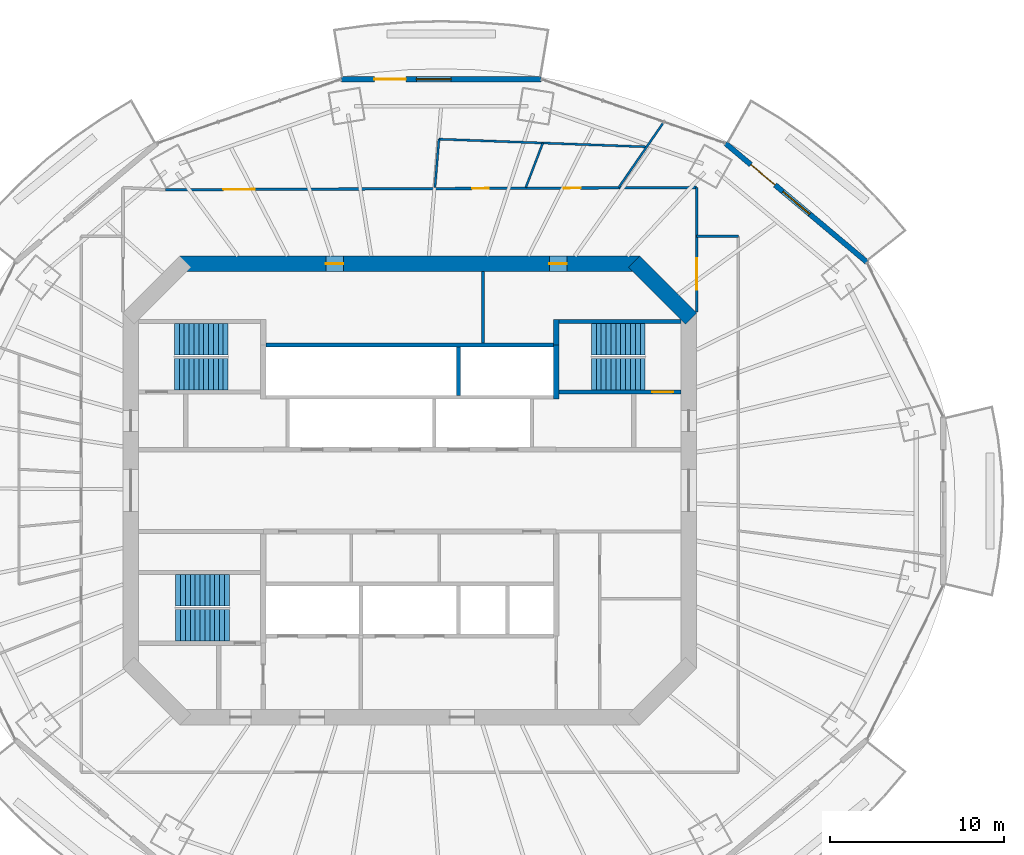
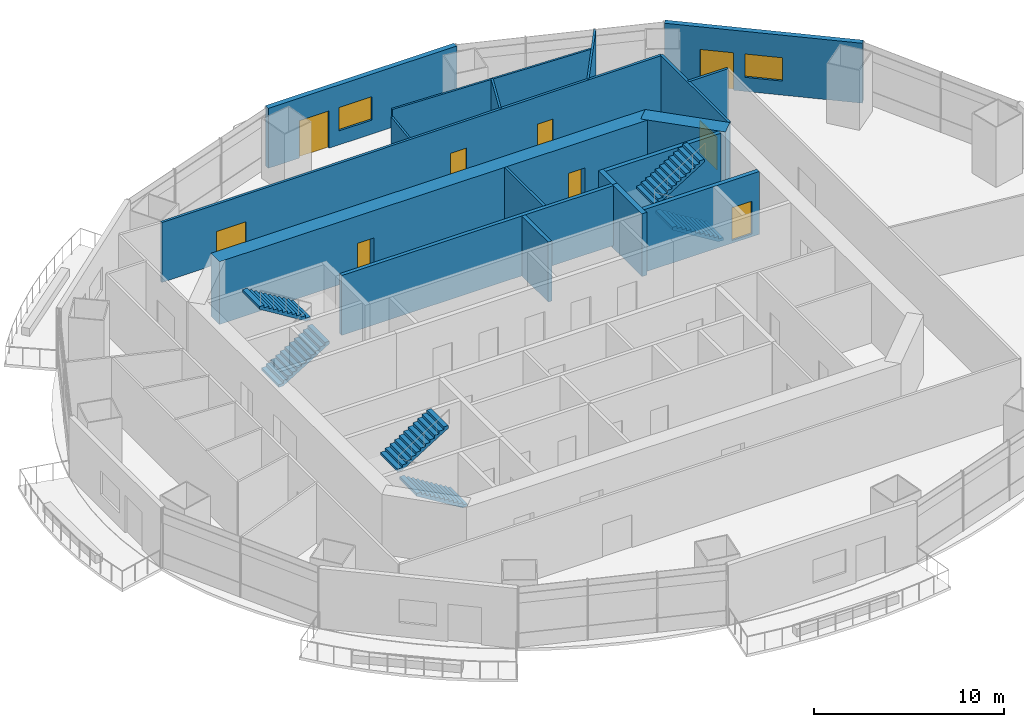
# One storey, part 13 of 16: 18 walls, 9 doors, 6 stair flights, 2 windows, 11 openings, 3 elements without a shape of their own.
"""IFC4 building model written with IfcOpenShell, lengths in metres."""

import ifcopenshell
import ifcopenshell.guid

model = None  # the IFC model being written
_history = None  # IfcOwnerHistory: only IFC2X3 demands one
_inside = {}  # id of a spatial element -> (the spatial element, [elements in it])
_under = {}  # id of a project, library or spatial element -> (it, [spatial elements below it])
_declared = {}  # id of a project -> (the project, [libraries it declares])
_typed = {}  # id of a type object -> (the type object, [elements of that type])
_made_of = {}  # id of a material, layer set ... -> (it, [elements and type objects made of it])


def new_model(schema):
    """Start an empty IFC model of exactly this schema.

    Asked for "IFC4X3", IfcOpenShell would pick the latest addendum, in which some entities
    have other attributes; the version numbers below select the first issue.
    IFC2X3 requires an IfcOwnerHistory on every rooted entity: one is made here for all.
    """
    global model, _history
    if schema == "IFC4X3":
        model = ifcopenshell.file(schema_version=(4, 3, 0, 0))
    else:
        model = ifcopenshell.file(schema=schema)
    _inside.clear()
    _under.clear()
    _declared.clear()
    _typed.clear()
    _made_of.clear()
    _history = None
    if model.schema == "IFC2X3":
        org = make("IfcOrganization", Name="unknown")
        user = make(
            "IfcPersonAndOrganization",
            ThePerson=make("IfcPerson", FamilyName="unknown"),
            TheOrganization=org,
        )
        app = make(
            "IfcApplication",
            ApplicationDeveloper=org,
            Version="unknown",
            ApplicationFullName="unknown",
            ApplicationIdentifier="unknown",
        )
        _history = make(
            "IfcOwnerHistory",
            OwningUser=user,
            OwningApplication=app,
            ChangeAction="ADDED",
            CreationDate=0,
        )
    return model


def make(cls, **values):
    """One entity of the class cls with the attributes given. An attribute that is None is left unset."""
    return model.create_entity(
        cls, **{name: value for name, value in values.items() if value is not None}
    )


def rooted(cls, **values):
    """An entity with a GlobalId (a new one), such as an element, a storey or a relation."""
    return make(cls, GlobalId=ifcopenshell.guid.new(), OwnerHistory=_history, **values)


def si_unit(unit_type, name, prefix=None):
    """IfcSIUnit, for example si_unit("LENGTHUNIT", "METRE", prefix="MILLI")."""
    return make("IfcSIUnit", UnitType=unit_type, Prefix=prefix, Name=name)


def assignment(units):
    """IfcUnitAssignment: the units of a project."""
    return None if units is None else make("IfcUnitAssignment", Units=units)


def point(xyz):
    """IfcCartesianPoint."""
    return None if xyz is None else make("IfcCartesianPoint", Coordinates=xyz)


def direction(xyz):
    """IfcDirection."""
    return None if xyz is None else make("IfcDirection", DirectionRatios=xyz)


def frame(location, z_axis=None, x_axis=None):
    """IfcAxis2Placement3D, a coordinate frame: its origin and axes. An axis left out is left unset."""
    return make(
        "IfcAxis2Placement3D",
        Location=point(location),
        Axis=direction(z_axis),
        RefDirection=direction(x_axis),
    )


def frame_2d(location, x_axis=None):
    """IfcAxis2Placement2D, a coordinate frame in the plane: its origin and x axis."""
    return make(
        "IfcAxis2Placement2D", Location=point(location), RefDirection=direction(x_axis)
    )


def origin():
    """The frame at (0, 0, 0) with its axes left unset."""
    return frame((0.0, 0.0, 0.0))


def place(relative_to, where):
    """IfcLocalPlacement: puts the frame where relative to a parent placement (None: the world)."""
    return make(
        "IfcLocalPlacement", PlacementRelTo=relative_to, RelativePlacement=where
    )


def context(
    kind, dimensions, precision=None, world=None, true_north=None, identifier=None
):
    """IfcGeometricRepresentationContext, for example the 3D "Model" context."""
    return make(
        "IfcGeometricRepresentationContext",
        ContextIdentifier=identifier,
        ContextType=kind,
        CoordinateSpaceDimension=dimensions,
        Precision=precision,
        WorldCoordinateSystem=world,
        TrueNorth=true_north,
    )


def subcontext(parent, identifier, kind, view, scale=None):
    """IfcGeometricRepresentationSubContext, for example "Body" below "Model"."""
    return make(
        "IfcGeometricRepresentationSubContext",
        ContextIdentifier=identifier,
        ContextType=kind,
        ParentContext=parent,
        TargetScale=scale,
        TargetView=view,
    )


def project(units=None, contexts=None):
    """IfcProject with its units and contexts."""
    return rooted(
        "IfcProject",
        Name="project",
        RepresentationContexts=contexts,
        UnitsInContext=assignment(units),
    )


def spatial(cls, under=None, at=None, **own):
    """A site, building, storey or space (cls), placed at a placement, below another one or the project."""
    s = rooted(cls, ObjectPlacement=at, **own)
    if under is not None:
        _under.setdefault(under.id(), (under, []))[1].append(s)
    return s


def polyline(points):
    """IfcPolyline through the points."""
    return make("IfcPolyline", Points=[point(p) for p in points])


def profile(cls, at=None, kind="AREA", **sizes):
    """A parametric profile (cls). Its sizes go by their IFC names, for example OverallWidth=200.0."""
    return make(cls, ProfileType=kind, Position=at, **sizes)


def rectangle(**sizes):
    """IfcRectangleProfileDef."""
    return profile("IfcRectangleProfileDef", **sizes)


def outline(outer, holes=None, kind="AREA"):
    """IfcArbitraryClosedProfileDef: a profile drawn as a closed curve; with holes, ...WithVoids."""
    if holes is None:
        return make("IfcArbitraryClosedProfileDef", ProfileType=kind, OuterCurve=outer)
    return make(
        "IfcArbitraryProfileDefWithVoids",
        ProfileType=kind,
        OuterCurve=outer,
        InnerCurves=holes,
    )


def extrude(swept, where, along, depth):
    """IfcExtrudedAreaSolid: the profile swept, set in the frame where, extruded along a direction by depth."""
    return make(
        "IfcExtrudedAreaSolid",
        SweptArea=swept,
        Position=where,
        ExtrudedDirection=direction(along),
        Depth=depth,
    )


def shape(context_of_items, identifier, shape_type, items):
    """IfcShapeRepresentation: the items that make up one representation, for example the "Body"."""
    return make(
        "IfcShapeRepresentation",
        ContextOfItems=context_of_items,
        RepresentationIdentifier=identifier,
        RepresentationType=shape_type,
        Items=items,
    )


def material(Name=None, Category=None):
    """IfcMaterial."""
    return make("IfcMaterial", Name=Name, Category=Category)


def layer(
    of_material, thickness, ventilated=None, Name=None, Category=None, Priority=None
):
    """IfcMaterialLayer: one layer of a wall or slab, of a material (None: an air gap)."""
    return make(
        "IfcMaterialLayer",
        Material=of_material,
        LayerThickness=thickness,
        IsVentilated=ventilated,
        Name=Name,
        Category=Category,
        Priority=Priority,
    )


def layer_set(layers, Name=None):
    """IfcMaterialLayerSet."""
    return make("IfcMaterialLayerSet", MaterialLayers=layers, LayerSetName=Name)


def made_of(thing, what):
    """Note that an element or type object is made of a material, layer set ...; save() writes the relation."""
    if what is not None:
        _made_of.setdefault(what.id(), (what, []))[1].append(thing)
    return thing


def type_object(cls, material=None, **own):
    """A type object (cls), such as IfcWallType, which elements share."""
    return made_of(rooted(cls, **own), material)


def element(
    cls,
    number,
    at=None,
    inside=None,
    cuts=None,
    type_object=None,
    material=None,
    context=None,
    identifier="Body",
    shape_type=None,
    held_by="IfcProductDefinitionShape",
    body=None,
    shapes=None,
    **own,
):
    """One element of the class cls, such as IfcWall. Its Tag is "e" and its number.

    at: its placement. inside: the storey or other place that contains it. cuts: it is an
    opening in that element (IfcRelVoidsElement). A single representation is given by context,
    identifier, shape_type and body (its items); several are given by shapes. held_by: the class
    of the entity that holds the representations. save() writes the other relations.
    """
    e = rooted(cls, Tag="e%d" % number, ObjectPlacement=at, **own)
    if body is not None:
        shapes = [shape(context, identifier, shape_type, body)]
    if shapes is not None:
        e.Representation = make(held_by, Representations=shapes)
    if inside is not None:
        _inside.setdefault(inside.id(), (inside, []))[1].append(e)
    if cuts is not None:
        rooted(
            "IfcRelVoidsElement", RelatingBuildingElement=cuts, RelatedOpeningElement=e
        )
    if type_object is not None:
        _typed.setdefault(type_object.id(), (type_object, []))[1].append(e)
    return made_of(e, material)


def fill(opening, filler):
    """IfcRelFillsElement: the door or window that sits in an opening."""
    return rooted(
        "IfcRelFillsElement",
        RelatingOpeningElement=opening,
        RelatedBuildingElement=filler,
    )


def aggregate(whole, parts):
    """IfcRelAggregates: a whole, such as a stair, and the parts it consists of."""
    return rooted("IfcRelAggregates", RelatingObject=whole, RelatedObjects=parts)


def save(model, path):
    """Write the relations noted so far, then the file.

    IfcRelAggregates (storeys below a building ...), IfcRelContainedInSpatialStructure (elements
    in a storey), IfcRelDefinesByType, IfcRelAssociatesMaterial and IfcRelDeclares: one each for
    every whole, place, type object, material and project.
    """
    for whole, parts in _under.values():
        aggregate(whole, parts)
    for where, things in _inside.values():
        rooted(
            "IfcRelContainedInSpatialStructure",
            RelatedElements=things,
            RelatingStructure=where,
        )
    for kind, things in _typed.values():
        rooted("IfcRelDefinesByType", RelatedObjects=things, RelatingType=kind)
    for what, things in _made_of.values():
        rooted("IfcRelAssociatesMaterial", RelatedObjects=things, RelatingMaterial=what)
    for by, libraries in _declared.values():
        rooted("IfcRelDeclares", RelatingContext=by, RelatedDefinitions=libraries)
    model.write(path)


model = new_model("IFC4")

# Units and contexts
model_context = context("Model", 3, precision=1e-05, world=origin(), true_north=direction((0.0, 1.0)))
body_context = subcontext(model_context, "Body", "Model", "MODEL_VIEW")
ifc_project = project(units=[si_unit("LENGTHUNIT", "METRE"), si_unit("AREAUNIT", "SQUARE_METRE"), si_unit("VOLUMEUNIT", "CUBIC_METRE"), si_unit("PLANEANGLEUNIT", "RADIAN"), si_unit("MASSUNIT", "GRAM", prefix="KILO")], contexts=[model_context])

# Site, building, storey
site_placement = place(None, origin())
site = spatial("IfcSite", under=ifc_project, at=site_placement, CompositionType="ELEMENT")
building_placement = place(site_placement, origin())
building = spatial("IfcBuilding", under=site, at=building_placement, Name="Marenthal Gate Tower", CompositionType="ELEMENT")
storey_placement = place(building_placement, frame((0.0, 0.0, 268.949951171875)))
storey = spatial("IfcBuildingStorey", under=building, at=storey_placement, Name="L60", CompositionType="ELEMENT", Elevation=268.949951171875)

# Wall
ifc_material_1 = material(Name="Concrete 60 MPa", Category="concrete")
ifc_layer_1 = layer(ifc_material_1, 0.89990234375)
ifc_layer_set_1 = layer_set([ifc_layer_1], Name="Core shear wall 900")
wall_type_1 = type_object("IfcWallType", Name="Core shear wall 900", PredefinedType="SHEAR", material=ifc_layer_set_1)
wall_1_placement = place(storey_placement, frame((16.1318359375, 9.8681640625, -0.179931640625), z_axis=(0.0, 0.0, 1.0), x_axis=(-0.707106781187, 0.707106781187, 0.0)))
element("IfcWall", 1, at=wall_1_placement, inside=storey, type_object=wall_type_1, Name="Core wall 03", PredefinedType="SHEAR", context=body_context, shape_type="SweptSolid", body=[
    extrude(rectangle(XDim=4.615478515625, YDim=0.89990234375, at=frame_2d((2.3076171875, 0.0))), origin(), (0.0, 0.0, 1.0), 4.030029296875),
])

# Wall, openings, doors
wall_2_placement = place(storey_placement, frame((13.186279296875, 13.0, -0.179931640625), z_axis=(0.0, 0.0, 1.0), x_axis=(-1.0, 0.0, 0.0)))
wall_2 = element("IfcWall", 2, at=wall_2_placement, inside=storey, type_object=wall_type_1, Name="Core wall 04", PredefinedType="SHEAR", context=body_context, shape_type="SweptSolid", body=[
    extrude(rectangle(XDim=26.37255859375, YDim=0.89990234375, at=frame_2d((13.186279296875, 0.0))), origin(), (0.0, 0.0, 1.0), 4.030029296875),
])
opening_1_placement = place(wall_2_placement, frame((16.993408203125, 0.0, 0.179931640625)))
opening_1 = element("IfcOpeningElement", 3, at=opening_1_placement, cuts=wall_2, Name="Opening D005.04", PredefinedType="OPENING", context=body_context, shape_type="SweptSolid", body=[
    extrude(rectangle(XDim=1.0, YDim=2.10009765625, at=frame_2d((0.5, 1.050048828125))), frame((0.0, 0.4599609375, 0.0), z_axis=(0.0, -1.0, 0.0), x_axis=(1.0, 0.0, 0.0)), (0.0, 0.0, 1.0), 0.919921875),
])
opening_2_placement = place(wall_2_placement, frame((4.179443359375, 0.0, 0.179931640625)))
opening_2 = element("IfcOpeningElement", 4, at=opening_2_placement, cuts=wall_2, Name="Opening D005.05", PredefinedType="OPENING", context=body_context, shape_type="SweptSolid", body=[
    extrude(rectangle(XDim=1.0, YDim=2.10009765625, at=frame_2d((0.5, 1.050048828125))), frame((0.0, 0.4599609375, 0.0), z_axis=(0.0, -1.0, 0.0), x_axis=(1.0, 0.0, 0.0)), (0.0, 0.0, 1.0), 0.919921875),
])
ifc_material_2 = material(Name="Steel fire door", Category="steel")
door_type_1 = type_object("IfcDoorType", Name="Fire door FD 45 1000 x 2100", OperationType="NOTDEFINED", PredefinedType="DOOR", material=ifc_material_2)
door_1_placement = place(opening_1_placement, origin())
door_1 = element("IfcDoor", 5, at=door_1_placement, inside=storey, type_object=door_type_1, Name="Door D005.04", OperationType="SINGLE_SWING_RIGHT", OverallHeight=2.10009765625, OverallWidth=1.0, PredefinedType="DOOR", context=body_context, shape_type="SweptSolid", body=[
    extrude(rectangle(XDim=1.0, YDim=2.10009765625, at=frame_2d((0.5, 1.050048828125))), frame((0.0, 0.02490234375, 0.0), z_axis=(0.0, -1.0, 0.0), x_axis=(1.0, 0.0, 0.0)), (0.0, 0.0, 1.0), 0.050048828125),
])
fill(opening_1, door_1)
door_2_placement = place(opening_2_placement, origin())
door_2 = element("IfcDoor", 6, at=door_2_placement, inside=storey, type_object=door_type_1, Name="Door D005.05", OperationType="SINGLE_SWING_RIGHT", OverallHeight=2.10009765625, OverallWidth=1.0, PredefinedType="DOOR", context=body_context, shape_type="SweptSolid", body=[
    extrude(rectangle(XDim=1.0, YDim=2.10009765625, at=frame_2d((0.5, 1.050048828125))), frame((0.0, 0.02490234375, 0.0), z_axis=(0.0, -1.0, 0.0), x_axis=(1.0, 0.0, 0.0)), (0.0, 0.0, 1.0), 0.050048828125),
])
fill(opening_2, door_2)

# Walls
ifc_material_3 = material(Name="Concrete 50 MPa", Category="concrete")
ifc_layer_2 = layer(ifc_material_3, 0.300048828125)
ifc_layer_set_2 = layer_set([ifc_layer_2], Name="Hoistway shear wall 300")
wall_type_2 = type_object("IfcWallType", Name="Hoistway shear wall 300", PredefinedType="SHEAR", material=ifc_layer_set_2)
wall_3_placement = place(storey_placement, frame((8.39990234375, 5.239990234375, -0.179931640625), z_axis=(0.0, 0.0, 1.0), x_axis=(0.0, 1.0, 0.0)))
element("IfcWall", 7, at=wall_3_placement, inside=storey, type_object=wall_type_2, Name="Hoistway wall 46", PredefinedType="SHEAR", context=body_context, shape_type="SweptSolid", body=[
    extrude(rectangle(XDim=3.110107421875, YDim=0.300048828125, at=frame_2d((1.55517578125, 0.0))), origin(), (0.0, 0.0, 1.0), 4.030029296875),
])
ifc_material_4 = material(Name="Concrete 40 MPa", Category="concrete")
ifc_layer_3 = layer(ifc_material_4, 0.219970703125)
ifc_layer_set_3 = layer_set([ifc_layer_3], Name="Hoistway wall 220")
wall_type_3 = type_object("IfcWallType", Name="Hoistway wall 220", PredefinedType="STANDARD", material=ifc_layer_set_3)
wall_4_placement = place(storey_placement, frame((-8.25, 8.35009765625, 0.0), z_axis=(0.0, 0.0, 1.0), x_axis=(1.0, 0.0, 0.0)))
element("IfcWall", 8, at=wall_4_placement, inside=storey, type_object=wall_type_3, Name="Hoistway wall 24", PredefinedType="STANDARD", context=body_context, shape_type="SweptSolid", body=[
    extrude(rectangle(XDim=16.5, YDim=0.219970703125, at=frame_2d((8.25, 0.0))), origin(), (0.0, 0.0, 1.0), 3.85009765625),
])
wall_5_placement = place(storey_placement, frame((2.800048828125, 5.4599609375, 0.0), z_axis=(0.0, 0.0, 1.0), x_axis=(0.0, 1.0, 0.0)))
element("IfcWall", 9, at=wall_5_placement, inside=storey, type_object=wall_type_3, Name="Hoistway wall 40", PredefinedType="STANDARD", context=body_context, shape_type="SweptSolid", body=[
    extrude(rectangle(XDim=2.780029296875, YDim=0.219970703125, at=frame_2d((1.39013671875, 0.0))), origin(), (0.0, 0.0, 1.0), 3.85009765625),
])
ifc_material_5 = material(Name="Gypsum board on steel studs", Category="steel")
ifc_layer_4 = layer(ifc_material_5, 0.1201171875)
ifc_layer_set_4 = layer_set([ifc_layer_4], Name="Partition 120")
wall_type_4 = type_object("IfcWallType", Name="Partition 120", PredefinedType="PARTITIONING", material=ifc_layer_set_4)
wall_6_placement = place(storey_placement, frame((1.67431640625, 20.154052734375, 0.0), z_axis=(0.0, 0.0, 1.0), x_axis=(-0.082798678208, -0.996566294276, 0.0)))
element("IfcWall", 10, at=wall_6_placement, inside=storey, type_object=wall_type_4, Name="Partition wall 62", PredefinedType="PARTITIONING", context=body_context, shape_type="SweptSolid", body=[
    extrude(rectangle(XDim=2.783447265625, YDim=0.1201171875, at=frame_2d((1.3916015625, 0.0))), origin(), (0.0, 0.0, 1.0), 3.383056640625),
])
wall_7_placement = place(storey_placement, frame((7.631591796875, 19.93310546875, 0.0), z_axis=(0.0, 0.0, 1.0), x_axis=(-0.357506405086, -0.933910686481, 0.0)))
element("IfcWall", 11, at=wall_7_placement, inside=storey, type_object=wall_type_4, Name="Partition wall 63", PredefinedType="PARTITIONING", context=body_context, shape_type="SweptSolid", body=[
    extrude(rectangle(XDim=2.733642578125, YDim=0.1201171875, at=frame_2d((1.36669921875, 0.0))), origin(), (0.0, 0.0, 1.0), 3.85009765625),
])
wall_8_placement = place(storey_placement, frame((11.9814453125, 17.380126953125, 0.0), z_axis=(0.0, 0.0, 1.0), x_axis=(0.567580608416, 0.82331783228, 0.0)))
element("IfcWall", 12, at=wall_8_placement, inside=storey, type_object=wall_type_4, Name="Partition wall 64", PredefinedType="PARTITIONING", context=body_context, shape_type="SweptSolid", body=[
    extrude(rectangle(XDim=4.569091796875, YDim=0.1201171875, at=frame_2d((2.28466796875, 0.0))), origin(), (0.0, 0.0, 1.0), 3.85009765625),
])
wall_9_placement = place(storey_placement, frame((13.589111328125, 19.71240234375, 0.0), z_axis=(0.0, 0.0, 1.0), x_axis=(-0.999313711309, 0.037041954465, 0.0)))
element("IfcWall", 13, at=wall_9_placement, inside=storey, type_object=wall_type_4, Name="Partition wall 65", PredefinedType="PARTITIONING", context=body_context, shape_type="SweptSolid", body=[
    extrude(rectangle(XDim=11.923095703125, YDim=0.1201171875, at=frame_2d((5.96142578125, 0.0))), origin(), (0.0, 0.0, 1.0), 3.85009765625),
])
ifc_material_6 = material(Name="Gypsum board on steel studs", Category="steel")
ifc_layer_5 = layer(ifc_material_6, 0.14990234375)
ifc_layer_set_5 = layer_set([ifc_layer_5], Name="Partition 150")
wall_type_5 = type_object("IfcWallType", Name="Partition 150", PredefinedType="PARTITIONING", material=ifc_layer_set_5)
wall_10_placement = place(storey_placement, frame((4.199951171875, 8.4599609375, 0.0), z_axis=(0.0, 0.0, 1.0), x_axis=(0.0, 1.0, 0.0)))
element("IfcWall", 14, at=wall_10_placement, inside=storey, type_object=wall_type_5, Name="Partition wall 41", PredefinedType="PARTITIONING", context=body_context, shape_type="SweptSolid", body=[
    extrude(rectangle(XDim=4.090087890625, YDim=0.14990234375, at=frame_2d((2.044921875, 0.0))), origin(), (0.0, 0.0, 1.0), 3.85009765625),
])

# Wall, openings, doors
wall_11_placement = place(storey_placement, frame((-14.001220703125, 17.24951171875, 0.0), z_axis=(0.0, 0.0, 1.0), x_axis=(0.999990800936, 0.004289294132, 0.0)))
wall_11 = element("IfcWall", 15, at=wall_11_placement, inside=storey, type_object=wall_type_5, Name="Partition wall 61", PredefinedType="PARTITIONING", context=body_context, shape_type="SweptSolid", body=[
    extrude(rectangle(XDim=30.451416015625, YDim=0.14990234375, at=frame_2d((15.2255859375, 0.0))), origin(), (0.0, 0.0, 1.0), 3.85009765625),
])
opening_3_placement = place(wall_11_placement, frame((22.843994140625, 0.0, 0.0)))
opening_3 = element("IfcOpeningElement", 16, at=opening_3_placement, cuts=wall_11, Name="Opening D016.01", PredefinedType="OPENING", context=body_context, shape_type="SweptSolid", body=[
    extrude(rectangle(XDim=0.949951171875, YDim=2.10009765625, at=frame_2d((0.47509765625, 1.050048828125))), frame((0.0, 0.0849609375, 0.0), z_axis=(0.0, -1.0, 0.0), x_axis=(1.0, 0.0, 0.0)), (0.0, 0.0, 1.0), 0.169921875),
])
opening_4_placement = place(wall_11_placement, frame((17.575927734375, 0.0, 0.0)))
opening_4 = element("IfcOpeningElement", 17, at=opening_4_placement, cuts=wall_11, Name="Opening D016.02", PredefinedType="OPENING", context=body_context, shape_type="SweptSolid", body=[
    extrude(rectangle(XDim=0.949951171875, YDim=2.10009765625, at=frame_2d((0.47509765625, 1.050048828125))), frame((0.0, 0.0849609375, 0.0), z_axis=(0.0, -1.0, 0.0), x_axis=(1.0, 0.0, 0.0)), (0.0, 0.0, 1.0), 0.169921875),
])
opening_5_placement = place(wall_11_placement, frame((3.318115234375, 0.0, 0.0)))
opening_5 = element("IfcOpeningElement", 18, at=opening_5_placement, cuts=wall_11, Name="Opening D014.01", PredefinedType="OPENING", context=body_context, shape_type="SweptSolid", body=[
    extrude(rectangle(XDim=1.800048828125, YDim=2.10009765625, at=frame_2d((0.89990234375, 1.050048828125))), frame((0.0, 0.0849609375, 0.0), z_axis=(0.0, -1.0, 0.0), x_axis=(1.0, 0.0, 0.0)), (0.0, 0.0, 1.0), 0.169921875),
])
ifc_material_7 = material(Name="Timber door", Category="wood")
door_type_2 = type_object("IfcDoorType", Name="Door 950 x 2100", OperationType="NOTDEFINED", PredefinedType="DOOR", material=ifc_material_7)
door_3_placement = place(opening_3_placement, origin())
door_3 = element("IfcDoor", 19, at=door_3_placement, inside=storey, type_object=door_type_2, Name="Door D016.01", OperationType="SINGLE_SWING_RIGHT", OverallHeight=2.10009765625, OverallWidth=0.949951171875, PredefinedType="DOOR", context=body_context, shape_type="SweptSolid", body=[
    extrude(rectangle(XDim=0.949951171875, YDim=2.10009765625, at=frame_2d((0.47509765625, 1.050048828125))), frame((0.0, 0.02490234375, 0.0), z_axis=(0.0, -1.0, 0.0), x_axis=(1.0, 0.0, 0.0)), (0.0, 0.0, 1.0), 0.050048828125),
])
fill(opening_3, door_3)
door_4_placement = place(opening_4_placement, origin())
door_4 = element("IfcDoor", 20, at=door_4_placement, inside=storey, type_object=door_type_2, Name="Door D016.02", OperationType="SINGLE_SWING_RIGHT", OverallHeight=2.10009765625, OverallWidth=0.949951171875, PredefinedType="DOOR", context=body_context, shape_type="SweptSolid", body=[
    extrude(rectangle(XDim=0.949951171875, YDim=2.10009765625, at=frame_2d((0.47509765625, 1.050048828125))), frame((0.0, 0.02490234375, 0.0), z_axis=(0.0, -1.0, 0.0), x_axis=(1.0, 0.0, 0.0)), (0.0, 0.0, 1.0), 0.050048828125),
])
fill(opening_4, door_4)
ifc_material_8 = material(Name="Timber door", Category="wood")
door_type_3 = type_object("IfcDoorType", Name="Double door 1800 x 2100", OperationType="DOUBLE_DOOR_SINGLE_SWING", PredefinedType="DOOR", material=ifc_material_8)
door_5_placement = place(opening_5_placement, origin())
door_5 = element("IfcDoor", 21, at=door_5_placement, inside=storey, type_object=door_type_3, Name="Door D014.01", OperationType="DOUBLE_DOOR_SINGLE_SWING", OverallHeight=2.10009765625, OverallWidth=1.800048828125, PredefinedType="DOOR", context=body_context, shape_type="SweptSolid", body=[
    extrude(rectangle(XDim=1.800048828125, YDim=2.10009765625, at=frame_2d((0.89990234375, 1.050048828125))), frame((0.0, 0.02490234375, 0.0), z_axis=(0.0, -1.0, 0.0), x_axis=(1.0, 0.0, 0.0)), (0.0, 0.0, 1.0), 0.050048828125),
])
fill(opening_5, door_5)

# Wall, opening, door
wall_12_placement = place(storey_placement, frame((16.449951171875, 10.25, 0.0), z_axis=(0.0, 0.0, 1.0), x_axis=(0.0, 1.0, 0.0)))
wall_12 = element("IfcWall", 22, at=wall_12_placement, inside=storey, type_object=wall_type_5, Name="Partition wall 66", PredefinedType="PARTITIONING", context=body_context, shape_type="SweptSolid", body=[
    extrude(rectangle(XDim=7.130126953125, YDim=0.14990234375, at=frame_2d((3.56494140625, 0.0))), origin(), (0.0, 0.0, 1.0), 3.85009765625),
])
opening_6_placement = place(wall_12_placement, frame((1.264892578125, 0.0, 0.0)))
opening_6 = element("IfcOpeningElement", 23, at=opening_6_placement, cuts=wall_12, Name="Opening D014.05", PredefinedType="OPENING", context=body_context, shape_type="SweptSolid", body=[
    extrude(rectangle(XDim=1.800048828125, YDim=2.10009765625, at=frame_2d((0.89990234375, 1.050048828125))), frame((0.0, 0.0849609375, 0.0), z_axis=(0.0, -1.0, 0.0), x_axis=(1.0, 0.0, 0.0)), (0.0, 0.0, 1.0), 0.169921875),
])
door_6_placement = place(opening_6_placement, origin())
door_6 = element("IfcDoor", 24, at=door_6_placement, inside=storey, type_object=door_type_3, Name="Door D014.05", OperationType="DOUBLE_DOOR_SINGLE_SWING", OverallHeight=2.10009765625, OverallWidth=1.800048828125, PredefinedType="DOOR", context=body_context, shape_type="SweptSolid", body=[
    extrude(rectangle(XDim=1.800048828125, YDim=2.10009765625, at=frame_2d((0.89990234375, 1.050048828125))), frame((0.0, 0.02490234375, 0.0), z_axis=(0.0, -1.0, 0.0), x_axis=(1.0, 0.0, 0.0)), (0.0, 0.0, 1.0), 0.050048828125),
])
fill(opening_6, door_6)

# Wall
wall_13_placement = place(storey_placement, frame((16.449951171875, 14.580078125, 0.0), z_axis=(0.0, 0.0, 1.0), x_axis=(1.0, 0.0, 0.0)))
element("IfcWall", 25, at=wall_13_placement, inside=storey, type_object=wall_type_5, Name="Partition wall 67", PredefinedType="PARTITIONING", context=body_context, shape_type="SweptSolid", body=[
    extrude(rectangle(XDim=2.400146484375, YDim=0.14990234375, at=frame_2d((1.2001953125, 0.0))), origin(), (0.0, 0.0, 1.0), 3.85009765625),
])

# Wall, opening, door
ifc_material_9 = material(Name="Concrete 50 MPa", Category="concrete")
ifc_layer_6 = layer(ifc_material_9, 0.25)
ifc_layer_set_6 = layer_set([ifc_layer_6], Name="Stair shear wall 250")
wall_type_6 = type_object("IfcWallType", Name="Stair shear wall 250", PredefinedType="SHEAR", material=ifc_layer_set_6)
wall_14_placement = place(storey_placement, frame((8.550048828125, 5.64990234375, -0.179931640625), z_axis=(0.0, 0.0, 1.0), x_axis=(1.0, 0.0, 0.0)))
wall_14 = element("IfcWall", 26, at=wall_14_placement, inside=storey, type_object=wall_type_6, Name="Stair wall 23", PredefinedType="SHEAR", context=body_context, shape_type="SweptSolid", body=[
    extrude(rectangle(XDim=7.0, YDim=0.25, at=frame_2d((3.5, 0.0))), origin(), (0.0, 0.0, 1.0), 4.030029296875),
])
opening_7_placement = place(wall_14_placement, frame((5.35009765625, 0.0, 0.179931640625)))
opening_7 = element("IfcOpeningElement", 27, at=opening_7_placement, cuts=wall_14, Name="Opening D001.02", PredefinedType="OPENING", context=body_context, shape_type="SweptSolid", body=[
    extrude(rectangle(XDim=1.199951171875, YDim=2.10009765625, at=frame_2d((0.60009765625, 1.050048828125))), frame((0.0, 0.135009765625, 0.0), z_axis=(0.0, -1.0, 0.0), x_axis=(1.0, 0.0, 0.0)), (0.0, 0.0, 1.0), 0.27001953125),
])
ifc_material_10 = material(Name="Steel fire door", Category="steel")
door_type_4 = type_object("IfcDoorType", Name="Fire door FD 90 1200 x 2100", OperationType="NOTDEFINED", PredefinedType="DOOR", material=ifc_material_10)
door_7_placement = place(opening_7_placement, origin())
door_7 = element("IfcDoor", 28, at=door_7_placement, inside=storey, type_object=door_type_4, Name="Door D001.02", OperationType="SINGLE_SWING_RIGHT", OverallHeight=2.10009765625, OverallWidth=1.199951171875, PredefinedType="DOOR", context=body_context, shape_type="SweptSolid", body=[
    extrude(rectangle(XDim=1.199951171875, YDim=2.10009765625, at=frame_2d((0.60009765625, 1.050048828125))), frame((0.0, 0.02490234375, 0.0), z_axis=(0.0, -1.0, 0.0), x_axis=(1.0, 0.0, 0.0)), (0.0, 0.0, 1.0), 0.050048828125),
])
fill(opening_7, door_7)

# Walls
wall_15_placement = place(storey_placement, frame((8.550048828125, 9.699951171875, -0.179931640625), z_axis=(0.0, 0.0, 1.0), x_axis=(1.0, 0.0, 0.0)))
element("IfcWall", 29, at=wall_15_placement, inside=storey, type_object=wall_type_6, Name="Stair wall 26", PredefinedType="SHEAR", context=body_context, shape_type="SweptSolid", body=[
    extrude(rectangle(XDim=7.0, YDim=0.25, at=frame_2d((3.5, 0.0))), origin(), (0.0, 0.0, 1.0), 4.030029296875),
])
ifc_material_11 = material(Name="Concrete 50 MPa", Category="concrete")
ifc_layer_7 = layer(ifc_material_11, 0.300048828125)
ifc_layer_set_7 = layer_set([ifc_layer_7], Name="Stair shear wall 300")
wall_type_7 = type_object("IfcWallType", Name="Stair shear wall 300", PredefinedType="SHEAR", material=ifc_layer_set_7)
wall_16_placement = place(storey_placement, frame((8.39990234375, 8.35009765625, -0.179931640625), z_axis=(0.0, 0.0, 1.0), x_axis=(0.0, 1.0, 0.0)))
element("IfcWall", 30, at=wall_16_placement, inside=storey, type_object=wall_type_7, Name="Stair wall 47", PredefinedType="SHEAR", context=body_context, shape_type="SweptSolid", body=[
    extrude(rectangle(XDim=1.474853515625, YDim=0.300048828125, at=frame_2d((0.7373046875, 0.0))), origin(), (0.0, 0.0, 1.0), 4.030029296875),
])

# Wall, openings, door, window
ifc_material_12 = material(Name="Terracotta cladding on insulated concrete-block backing", Category="masonry")
ifc_layer_8 = layer(ifc_material_12, 0.300048828125)
ifc_layer_set_8 = layer_set([ifc_layer_8], Name="Terracotta facade wall 300")
wall_type_8 = type_object("IfcWallType", Name="Terracotta facade wall 300", PredefinedType="SOLIDWALL", material=ifc_layer_set_8)
wall_17_placement = place(storey_placement, frame((26.212890625, 13.104736328125, 0.0), z_axis=(0.0, 0.0, 1.0), x_axis=(-0.765648495003, 0.643259187342, 0.0)))
wall_17 = element("IfcWall", 31, at=wall_17_placement, inside=storey, type_object=wall_type_8, Name="Terracotta facade wall L60 bay 2", PredefinedType="SOLIDWALL", context=body_context, shape_type="SweptSolid", body=[
    extrude(rectangle(XDim=10.580322265625, YDim=0.300048828125, at=frame_2d((5.2900390625, 0.0))), origin(), (0.0, 0.0, 1.0), 3.85009765625),
])
opening_8_placement = place(wall_17_placement, frame((6.880126953125, 0.0, 0.0)))
opening_8 = element("IfcOpeningElement", 32, at=opening_8_placement, cuts=wall_17, Name="Opening BD-L60-02", PredefinedType="OPENING", context=body_context, shape_type="SweptSolid", body=[
    extrude(rectangle(XDim=1.800048828125, YDim=2.39990234375, at=frame_2d((0.89990234375, 1.199951171875))), frame((0.0, 0.16015625, 0.0), z_axis=(0.0, -1.0, 0.0), x_axis=(1.0, 0.0, 0.0)), (0.0, 0.0, 1.0), 0.320068359375),
])
opening_9_placement = place(wall_17_placement, frame((4.2802734375, 0.0, 0.89990234375)))
opening_9 = element("IfcOpeningElement", 33, at=opening_9_placement, cuts=wall_17, Name="Opening WN2-L60-02", PredefinedType="OPENING", context=body_context, shape_type="SweptSolid", body=[
    extrude(rectangle(XDim=2.0, YDim=1.5, at=frame_2d((1.0, 0.75))), frame((0.0, 0.16015625, 0.0), z_axis=(0.0, -1.0, 0.0), x_axis=(1.0, 0.0, 0.0)), (0.0, 0.0, 1.0), 0.320068359375),
])
ifc_material_13 = material(Name="Aluminium and glass", Category="aluminium")
door_type_5 = type_object("IfcDoorType", Name="Balcony door 1800x2400", OperationType="DOUBLE_DOOR_SINGLE_SWING", PredefinedType="DOOR", material=ifc_material_13)
door_8_placement = place(opening_8_placement, origin())
door_8 = element("IfcDoor", 34, at=door_8_placement, inside=storey, type_object=door_type_5, Name="Balcony door L60 bay 2", OperationType="SINGLE_SWING_LEFT", OverallHeight=2.39990234375, OverallWidth=1.800048828125, PredefinedType="DOOR", context=body_context, shape_type="SweptSolid", body=[
    extrude(rectangle(XDim=1.800048828125, YDim=2.39990234375, at=frame_2d((0.89990234375, 1.199951171875))), frame((0.0, 0.02490234375, 0.0), z_axis=(0.0, -1.0, 0.0), x_axis=(1.0, 0.0, 0.0)), (0.0, 0.0, 1.0), 0.050048828125),
])
fill(opening_8, door_8)
ifc_material_14 = material(Name="Aluminium and glass", Category="aluminium")
window_type = type_object("IfcWindowType", Name="Window 2000x1500", PartitioningType="DOUBLE_PANEL_VERTICAL", PredefinedType="WINDOW", material=ifc_material_14)
window_1_placement = place(opening_9_placement, origin())
window_1 = element("IfcWindow", 35, at=window_1_placement, inside=storey, type_object=window_type, Name="Window L60 bay 2", OverallHeight=1.5, OverallWidth=2.0, PartitioningType="SINGLE_PANEL", PredefinedType="WINDOW", context=body_context, shape_type="SweptSolid", body=[
    extrude(rectangle(XDim=2.0, YDim=1.5, at=frame_2d((1.0, 0.75))), frame((0.0, 0.030029296875, 0.0), z_axis=(0.0, -1.0, 0.0), x_axis=(1.0, 0.0, 0.0)), (0.0, 0.0, 1.0), 0.06005859375),
])
fill(opening_9, window_1)

wall_18_placement = place(storey_placement, frame((7.528076171875, 23.593994140625, 0.0), z_axis=(0.0, 0.0, 1.0), x_axis=(-1.0, 0.0, 0.0)))
wall_18 = element("IfcWall", 36, at=wall_18_placement, inside=storey, type_object=wall_type_8, Name="Terracotta facade wall L60 bay 4", PredefinedType="SOLIDWALL", context=body_context, shape_type="SweptSolid", body=[
    extrude(rectangle(XDim=11.4560546875, YDim=0.300048828125, at=frame_2d((5.72802734375, 0.0))), origin(), (0.0, 0.0, 1.0), 3.85009765625),
])
opening_10_placement = place(wall_18_placement, frame((7.756103515625, 0.0, 0.0)))
opening_10 = element("IfcOpeningElement", 37, at=opening_10_placement, cuts=wall_18, Name="Opening BD-L60-04", PredefinedType="OPENING", context=body_context, shape_type="SweptSolid", body=[
    extrude(rectangle(XDim=1.800048828125, YDim=2.39990234375, at=frame_2d((0.89990234375, 1.199951171875))), frame((0.0, 0.16015625, 0.0), z_axis=(0.0, -1.0, 0.0), x_axis=(1.0, 0.0, 0.0)), (0.0, 0.0, 1.0), 0.320068359375),
])
opening_11_placement = place(wall_18_placement, frame((5.156005859375, 0.0, 0.89990234375)))
opening_11 = element("IfcOpeningElement", 38, at=opening_11_placement, cuts=wall_18, Name="Opening WN2-L60-04", PredefinedType="OPENING", context=body_context, shape_type="SweptSolid", body=[
    extrude(rectangle(XDim=2.0, YDim=1.5, at=frame_2d((1.0, 0.75))), frame((0.0, 0.16015625, 0.0), z_axis=(0.0, -1.0, 0.0), x_axis=(1.0, 0.0, 0.0)), (0.0, 0.0, 1.0), 0.320068359375),
])
door_9_placement = place(opening_10_placement, origin())
door_9 = element("IfcDoor", 39, at=door_9_placement, inside=storey, type_object=door_type_5, Name="Balcony door L60 bay 4", OperationType="SINGLE_SWING_LEFT", OverallHeight=2.39990234375, OverallWidth=1.800048828125, PredefinedType="DOOR", context=body_context, shape_type="SweptSolid", body=[
    extrude(rectangle(XDim=1.800048828125, YDim=2.39990234375, at=frame_2d((0.89990234375, 1.199951171875))), frame((0.0, 0.02490234375, 0.0), z_axis=(0.0, -1.0, 0.0), x_axis=(1.0, 0.0, 0.0)), (0.0, 0.0, 1.0), 0.050048828125),
])
fill(opening_10, door_9)
window_2_placement = place(opening_11_placement, origin())
window_2 = element("IfcWindow", 40, at=window_2_placement, inside=storey, type_object=window_type, Name="Window L60 bay 4", OverallHeight=1.5, OverallWidth=2.0, PartitioningType="SINGLE_PANEL", PredefinedType="WINDOW", context=body_context, shape_type="SweptSolid", body=[
    extrude(rectangle(XDim=2.0, YDim=1.5, at=frame_2d((1.0, 0.75))), frame((0.0, 0.030029296875, 0.0), z_axis=(0.0, -1.0, 0.0), x_axis=(1.0, 0.0, 0.0)), (0.0, 0.0, 1.0), 0.06005859375),
])
fill(opening_11, window_2)

# Stair, stair flights
ifc_material_15 = material(Name="Concrete 40 MPa", Category="concrete")
stair_type = type_object("IfcStairType", Name="Exit stair 1800", PredefinedType="HALF_TURN_STAIR", material=ifc_material_15)
stair_1_placement = place(storey_placement, origin())
stair_1 = element("IfcStair", 41, at=stair_1_placement, inside=storey, type_object=stair_type, Name="Stair ST1", PredefinedType="HALF_TURN_STAIR")
ifc_material_16 = material(Name="Concrete 40 MPa", Category="concrete")
stair_flight_type = type_object("IfcStairFlightType", Name="Stair flight 1800", PredefinedType="STRAIGHT", material=ifc_material_16)
stair_flight_1_placement = place(storey_placement, frame((-13.5, 6.675048828125, 0.0), z_axis=(0.0, 0.0, 1.0), x_axis=(1.0, 0.0, 0.0)))
stair_flight_1 = element("IfcStairFlight", 42, at=stair_flight_1_placement, type_object=stair_flight_type, Name="ST1 flight 1", NumberOfRisers=12, NumberOfTreads=11, PredefinedType="STRAIGHT", RiserHeight=0.172916667, TreadLength=0.28, context=body_context, shape_type="SweptSolid", body=[
    extrude(outline(polyline([(0.0, 0.0), (0.0, 0.1728515625), (0.280029296875, 0.1728515625), (0.280029296875, 0.345947265625), (0.56005859375, 0.345947265625), (0.56005859375, 0.518798828125), (0.840087890625, 0.518798828125), (0.840087890625, 0.691650390625), (1.1201171875, 0.691650390625), (1.1201171875, 0.864501953125), (1.39990234375, 0.864501953125), (1.39990234375, 1.03759765625), (1.679931640625, 1.03759765625), (1.679931640625, 1.21044921875), (1.9599609375, 1.21044921875), (1.9599609375, 1.38330078125), (2.239990234375, 1.38330078125), (2.239990234375, 1.55615234375), (2.52001953125, 1.55615234375), (2.52001953125, 1.729248046875), (2.800048828125, 1.729248046875), (2.800048828125, 1.902099609375), (3.080078125, 1.902099609375), (3.080078125, 2.074951171875), (3.080078125, 1.725830078125), (0.285400390625, 0.0), (0.0, 0.0)])), frame((0.0, 0.89990234375, 0.0), z_axis=(0.0, -1.0, 0.0), x_axis=(1.0, 0.0, 0.0)), (0.0, 0.0, 1.0), 1.800048828125),
])
stair_flight_2_placement = place(storey_placement, frame((-10.419921875, 8.675048828125, 2.074951171875), z_axis=(0.0, 0.0, 1.0), x_axis=(-1.0, 0.0, 0.0)))
stair_flight_2 = element("IfcStairFlight", 43, at=stair_flight_2_placement, type_object=stair_flight_type, Name="ST1 flight 2", NumberOfRisers=12, NumberOfTreads=11, PredefinedType="STRAIGHT", RiserHeight=0.172916667, TreadLength=0.28, context=body_context, shape_type="SweptSolid", body=[
    extrude(outline(polyline([(0.0, 0.0), (0.0, 0.1728515625), (0.280029296875, 0.1728515625), (0.280029296875, 0.345947265625), (0.56005859375, 0.345947265625), (0.56005859375, 0.518798828125), (0.840087890625, 0.518798828125), (0.840087890625, 0.691650390625), (1.1201171875, 0.691650390625), (1.1201171875, 0.864501953125), (1.39990234375, 0.864501953125), (1.39990234375, 1.03759765625), (1.679931640625, 1.03759765625), (1.679931640625, 1.21044921875), (1.9599609375, 1.21044921875), (1.9599609375, 1.38330078125), (2.239990234375, 1.38330078125), (2.239990234375, 1.55615234375), (2.52001953125, 1.55615234375), (2.52001953125, 1.729248046875), (2.800048828125, 1.729248046875), (2.800048828125, 1.902099609375), (3.080078125, 1.902099609375), (3.080078125, 2.074951171875), (3.080078125, 1.725830078125), (0.285400390625, 0.0), (0.0, 0.0)])), frame((0.0, 0.89990234375, 0.0), z_axis=(0.0, -1.0, 0.0), x_axis=(1.0, 0.0, 0.0)), (0.0, 0.0, 1.0), 1.800048828125),
])
aggregate(stair_1, [stair_flight_1, stair_flight_2])

stair_2_placement = place(storey_placement, origin())
stair_2 = element("IfcStair", 44, at=stair_2_placement, inside=storey, type_object=stair_type, Name="Stair ST2", PredefinedType="HALF_TURN_STAIR")
stair_flight_3_placement = place(storey_placement, frame((-10.35009765625, -7.72509765625, 0.0), z_axis=(0.0, 0.0, 1.0), x_axis=(-1.0, 0.0, 0.0)))
stair_flight_3 = element("IfcStairFlight", 45, at=stair_flight_3_placement, type_object=stair_flight_type, Name="ST2 flight 1", NumberOfRisers=12, NumberOfTreads=11, PredefinedType="STRAIGHT", RiserHeight=0.172916667, TreadLength=0.28, context=body_context, shape_type="SweptSolid", body=[
    extrude(outline(polyline([(0.0, 0.0), (0.0, 0.1728515625), (0.280029296875, 0.1728515625), (0.280029296875, 0.345947265625), (0.56005859375, 0.345947265625), (0.56005859375, 0.518798828125), (0.840087890625, 0.518798828125), (0.840087890625, 0.691650390625), (1.1201171875, 0.691650390625), (1.1201171875, 0.864501953125), (1.39990234375, 0.864501953125), (1.39990234375, 1.03759765625), (1.679931640625, 1.03759765625), (1.679931640625, 1.21044921875), (1.9599609375, 1.21044921875), (1.9599609375, 1.38330078125), (2.239990234375, 1.38330078125), (2.239990234375, 1.55615234375), (2.52001953125, 1.55615234375), (2.52001953125, 1.729248046875), (2.800048828125, 1.729248046875), (2.800048828125, 1.902099609375), (3.080078125, 1.902099609375), (3.080078125, 2.074951171875), (3.080078125, 1.725830078125), (0.285400390625, 0.0), (0.0, 0.0)])), frame((0.0, 0.89990234375, 0.0), z_axis=(0.0, -1.0, 0.0), x_axis=(1.0, 0.0, 0.0)), (0.0, 0.0, 1.0), 1.800048828125),
])
stair_flight_4_placement = place(storey_placement, frame((-13.429931640625, -5.72509765625, 2.074951171875), z_axis=(0.0, 0.0, 1.0), x_axis=(1.0, 0.0, 0.0)))
stair_flight_4 = element("IfcStairFlight", 46, at=stair_flight_4_placement, type_object=stair_flight_type, Name="ST2 flight 2", NumberOfRisers=12, NumberOfTreads=11, PredefinedType="STRAIGHT", RiserHeight=0.172916667, TreadLength=0.28, context=body_context, shape_type="SweptSolid", body=[
    extrude(outline(polyline([(0.0, 0.0), (0.0, 0.1728515625), (0.280029296875, 0.1728515625), (0.280029296875, 0.345947265625), (0.56005859375, 0.345947265625), (0.56005859375, 0.518798828125), (0.840087890625, 0.518798828125), (0.840087890625, 0.691650390625), (1.1201171875, 0.691650390625), (1.1201171875, 0.864501953125), (1.39990234375, 0.864501953125), (1.39990234375, 1.03759765625), (1.679931640625, 1.03759765625), (1.679931640625, 1.21044921875), (1.9599609375, 1.21044921875), (1.9599609375, 1.38330078125), (2.239990234375, 1.38330078125), (2.239990234375, 1.55615234375), (2.52001953125, 1.55615234375), (2.52001953125, 1.729248046875), (2.800048828125, 1.729248046875), (2.800048828125, 1.902099609375), (3.080078125, 1.902099609375), (3.080078125, 2.074951171875), (3.080078125, 1.725830078125), (0.285400390625, 0.0), (0.0, 0.0)])), frame((0.0, 0.89990234375, 0.0), z_axis=(0.0, -1.0, 0.0), x_axis=(1.0, 0.0, 0.0)), (0.0, 0.0, 1.0), 1.800048828125),
])
aggregate(stair_2, [stair_flight_3, stair_flight_4])

stair_3_placement = place(storey_placement, origin())
stair_3 = element("IfcStair", 47, at=stair_3_placement, inside=storey, type_object=stair_type, Name="Stair ST3", PredefinedType="HALF_TURN_STAIR")
stair_flight_5_placement = place(storey_placement, frame((13.5, 6.675048828125, 0.0), z_axis=(0.0, 0.0, 1.0), x_axis=(-1.0, 0.0, 0.0)))
stair_flight_5 = element("IfcStairFlight", 48, at=stair_flight_5_placement, type_object=stair_flight_type, Name="ST3 flight 1", NumberOfRisers=12, NumberOfTreads=11, PredefinedType="STRAIGHT", RiserHeight=0.172916667, TreadLength=0.28, context=body_context, shape_type="SweptSolid", body=[
    extrude(outline(polyline([(0.0, 0.0), (0.0, 0.1728515625), (0.280029296875, 0.1728515625), (0.280029296875, 0.345947265625), (0.56005859375, 0.345947265625), (0.56005859375, 0.518798828125), (0.840087890625, 0.518798828125), (0.840087890625, 0.691650390625), (1.1201171875, 0.691650390625), (1.1201171875, 0.864501953125), (1.39990234375, 0.864501953125), (1.39990234375, 1.03759765625), (1.679931640625, 1.03759765625), (1.679931640625, 1.21044921875), (1.9599609375, 1.21044921875), (1.9599609375, 1.38330078125), (2.239990234375, 1.38330078125), (2.239990234375, 1.55615234375), (2.52001953125, 1.55615234375), (2.52001953125, 1.729248046875), (2.800048828125, 1.729248046875), (2.800048828125, 1.902099609375), (3.080078125, 1.902099609375), (3.080078125, 2.074951171875), (3.080078125, 1.725830078125), (0.285400390625, 0.0), (0.0, 0.0)])), frame((0.0, 0.89990234375, 0.0), z_axis=(0.0, -1.0, 0.0), x_axis=(1.0, 0.0, 0.0)), (0.0, 0.0, 1.0), 1.800048828125),
])
stair_flight_6_placement = place(storey_placement, frame((10.419921875, 8.675048828125, 2.074951171875), z_axis=(0.0, 0.0, 1.0), x_axis=(1.0, 0.0, 0.0)))
stair_flight_6 = element("IfcStairFlight", 49, at=stair_flight_6_placement, type_object=stair_flight_type, Name="ST3 flight 2", NumberOfRisers=12, NumberOfTreads=11, PredefinedType="STRAIGHT", RiserHeight=0.172916667, TreadLength=0.28, context=body_context, shape_type="SweptSolid", body=[
    extrude(outline(polyline([(0.0, 0.0), (0.0, 0.1728515625), (0.280029296875, 0.1728515625), (0.280029296875, 0.345947265625), (0.56005859375, 0.345947265625), (0.56005859375, 0.518798828125), (0.840087890625, 0.518798828125), (0.840087890625, 0.691650390625), (1.1201171875, 0.691650390625), (1.1201171875, 0.864501953125), (1.39990234375, 0.864501953125), (1.39990234375, 1.03759765625), (1.679931640625, 1.03759765625), (1.679931640625, 1.21044921875), (1.9599609375, 1.21044921875), (1.9599609375, 1.38330078125), (2.239990234375, 1.38330078125), (2.239990234375, 1.55615234375), (2.52001953125, 1.55615234375), (2.52001953125, 1.729248046875), (2.800048828125, 1.729248046875), (2.800048828125, 1.902099609375), (3.080078125, 1.902099609375), (3.080078125, 2.074951171875), (3.080078125, 1.725830078125), (0.285400390625, 0.0), (0.0, 0.0)])), frame((0.0, 0.89990234375, 0.0), z_axis=(0.0, -1.0, 0.0), x_axis=(1.0, 0.0, 0.0)), (0.0, 0.0, 1.0), 1.800048828125),
])
aggregate(stair_3, [stair_flight_5, stair_flight_6])

save(model, "model.ifc")
